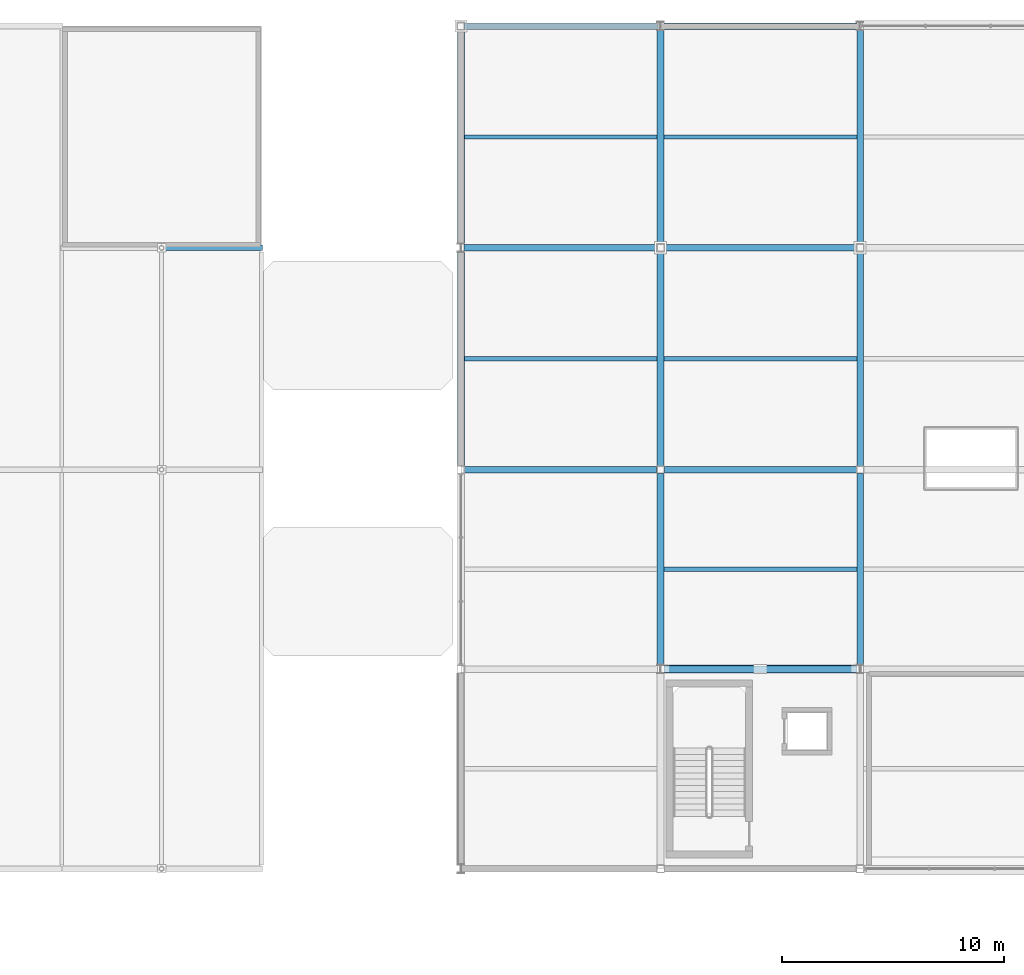
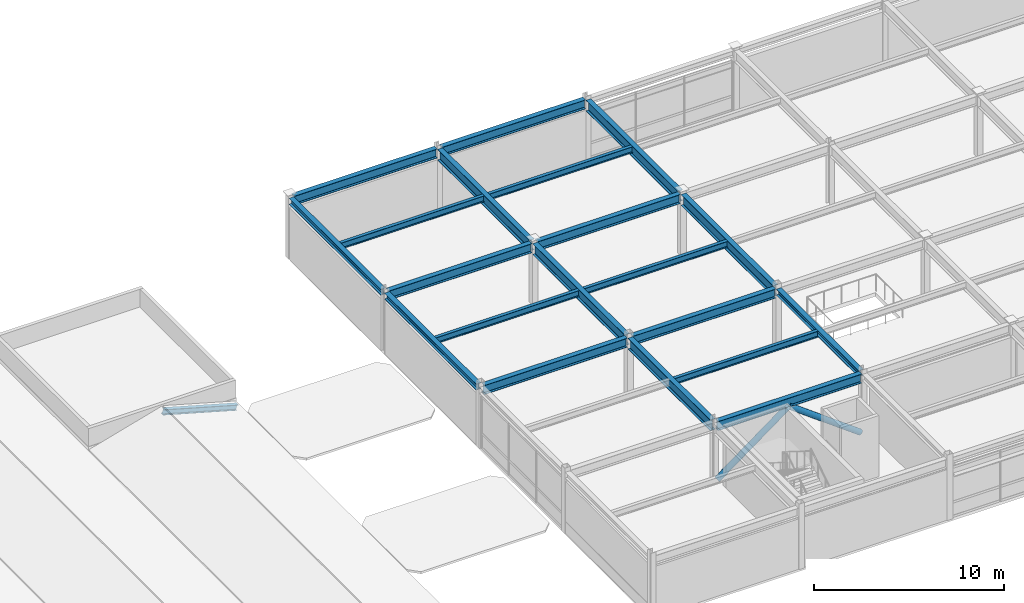
# One storey, part 21 of 40: 20 beams, 3 members.
"""IFC4 building model written with IfcOpenShell, lengths in metres."""

import ifcopenshell
import ifcopenshell.guid

model = None  # the IFC model being written
_history = None  # IfcOwnerHistory: only IFC2X3 demands one
_inside = {}  # id of a spatial element -> (the spatial element, [elements in it])
_under = {}  # id of a project, library or spatial element -> (it, [spatial elements below it])
_declared = {}  # id of a project -> (the project, [libraries it declares])
_typed = {}  # id of a type object -> (the type object, [elements of that type])
_made_of = {}  # id of a material, layer set ... -> (it, [elements and type objects made of it])


def new_model(schema):
    """Start an empty IFC model of exactly this schema.

    Asked for "IFC4X3", IfcOpenShell would pick the latest addendum, in which some entities
    have other attributes; the version numbers below select the first issue.
    IFC2X3 requires an IfcOwnerHistory on every rooted entity: one is made here for all.
    """
    global model, _history
    if schema == "IFC4X3":
        model = ifcopenshell.file(schema_version=(4, 3, 0, 0))
    else:
        model = ifcopenshell.file(schema=schema)
    _inside.clear()
    _under.clear()
    _declared.clear()
    _typed.clear()
    _made_of.clear()
    _history = None
    if model.schema == "IFC2X3":
        org = make("IfcOrganization", Name="unknown")
        user = make(
            "IfcPersonAndOrganization",
            ThePerson=make("IfcPerson", FamilyName="unknown"),
            TheOrganization=org,
        )
        app = make(
            "IfcApplication",
            ApplicationDeveloper=org,
            Version="unknown",
            ApplicationFullName="unknown",
            ApplicationIdentifier="unknown",
        )
        _history = make(
            "IfcOwnerHistory",
            OwningUser=user,
            OwningApplication=app,
            ChangeAction="ADDED",
            CreationDate=0,
        )
    return model


def make(cls, **values):
    """One entity of the class cls with the attributes given. An attribute that is None is left unset."""
    return model.create_entity(
        cls, **{name: value for name, value in values.items() if value is not None}
    )


def rooted(cls, **values):
    """An entity with a GlobalId (a new one), such as an element, a storey or a relation."""
    return make(cls, GlobalId=ifcopenshell.guid.new(), OwnerHistory=_history, **values)


def si_unit(unit_type, name, prefix=None):
    """IfcSIUnit, for example si_unit("LENGTHUNIT", "METRE", prefix="MILLI")."""
    return make("IfcSIUnit", UnitType=unit_type, Prefix=prefix, Name=name)


def assignment(units):
    """IfcUnitAssignment: the units of a project."""
    return None if units is None else make("IfcUnitAssignment", Units=units)


def point(xyz):
    """IfcCartesianPoint."""
    return None if xyz is None else make("IfcCartesianPoint", Coordinates=xyz)


def direction(xyz):
    """IfcDirection."""
    return None if xyz is None else make("IfcDirection", DirectionRatios=xyz)


def frame(location, z_axis=None, x_axis=None):
    """IfcAxis2Placement3D, a coordinate frame: its origin and axes. An axis left out is left unset."""
    return make(
        "IfcAxis2Placement3D",
        Location=point(location),
        Axis=direction(z_axis),
        RefDirection=direction(x_axis),
    )


def frame_2d(location, x_axis=None):
    """IfcAxis2Placement2D, a coordinate frame in the plane: its origin and x axis."""
    return make(
        "IfcAxis2Placement2D", Location=point(location), RefDirection=direction(x_axis)
    )


def origin():
    """The frame at (0, 0, 0) with its axes left unset."""
    return frame((0.0, 0.0, 0.0))


def origin_2d():
    """The frame at (0, 0) in the plane with its x axis left unset."""
    return frame_2d((0.0, 0.0))


def place(relative_to, where):
    """IfcLocalPlacement: puts the frame where relative to a parent placement (None: the world)."""
    return make(
        "IfcLocalPlacement", PlacementRelTo=relative_to, RelativePlacement=where
    )


def context(
    kind, dimensions, precision=None, world=None, true_north=None, identifier=None
):
    """IfcGeometricRepresentationContext, for example the 3D "Model" context."""
    return make(
        "IfcGeometricRepresentationContext",
        ContextIdentifier=identifier,
        ContextType=kind,
        CoordinateSpaceDimension=dimensions,
        Precision=precision,
        WorldCoordinateSystem=world,
        TrueNorth=true_north,
    )


def subcontext(parent, identifier, kind, view, scale=None):
    """IfcGeometricRepresentationSubContext, for example "Body" below "Model"."""
    return make(
        "IfcGeometricRepresentationSubContext",
        ContextIdentifier=identifier,
        ContextType=kind,
        ParentContext=parent,
        TargetScale=scale,
        TargetView=view,
    )


def project(units=None, contexts=None):
    """IfcProject with its units and contexts."""
    return rooted(
        "IfcProject",
        Name="project",
        RepresentationContexts=contexts,
        UnitsInContext=assignment(units),
    )


def spatial(cls, under=None, at=None, **own):
    """A site, building, storey or space (cls), placed at a placement, below another one or the project."""
    s = rooted(cls, ObjectPlacement=at, **own)
    if under is not None:
        _under.setdefault(under.id(), (under, []))[1].append(s)
    return s


def profile(cls, at=None, kind="AREA", **sizes):
    """A parametric profile (cls). Its sizes go by their IFC names, for example OverallWidth=200.0."""
    return make(cls, ProfileType=kind, Position=at, **sizes)


def hollow_circle(**sizes):
    """IfcCircleHollowProfileDef."""
    return profile("IfcCircleHollowProfileDef", **sizes)


def i_section(**sizes):
    """IfcIShapeProfileDef."""
    return profile("IfcIShapeProfileDef", **sizes)


def extrude(swept, where, along, depth):
    """IfcExtrudedAreaSolid: the profile swept, set in the frame where, extruded along a direction by depth."""
    return make(
        "IfcExtrudedAreaSolid",
        SweptArea=swept,
        Position=where,
        ExtrudedDirection=direction(along),
        Depth=depth,
    )


def shape(context_of_items, identifier, shape_type, items):
    """IfcShapeRepresentation: the items that make up one representation, for example the "Body"."""
    return make(
        "IfcShapeRepresentation",
        ContextOfItems=context_of_items,
        RepresentationIdentifier=identifier,
        RepresentationType=shape_type,
        Items=items,
    )


def material(Name=None, Category=None):
    """IfcMaterial."""
    return make("IfcMaterial", Name=Name, Category=Category)


def material_profile(
    of_material, cross_section, Name=None, Category=None, Priority=None
):
    """IfcMaterialProfile: a cross section and its material."""
    return make(
        "IfcMaterialProfile",
        Name=Name,
        Material=of_material,
        Profile=cross_section,
        Priority=Priority,
        Category=Category,
    )


def profile_set(profiles, Name=None, composite=None):
    """IfcMaterialProfileSet."""
    return make(
        "IfcMaterialProfileSet",
        Name=Name,
        MaterialProfiles=profiles,
        CompositeProfile=composite,
    )


def made_of(thing, what):
    """Note that an element or type object is made of a material, layer set ...; save() writes the relation."""
    if what is not None:
        _made_of.setdefault(what.id(), (what, []))[1].append(thing)
    return thing


def type_object(cls, material=None, **own):
    """A type object (cls), such as IfcWallType, which elements share."""
    return made_of(rooted(cls, **own), material)


def element(
    cls,
    number,
    at=None,
    inside=None,
    cuts=None,
    type_object=None,
    material=None,
    context=None,
    identifier="Body",
    shape_type=None,
    held_by="IfcProductDefinitionShape",
    body=None,
    shapes=None,
    **own,
):
    """One element of the class cls, such as IfcWall. Its Tag is "e" and its number.

    at: its placement. inside: the storey or other place that contains it. cuts: it is an
    opening in that element (IfcRelVoidsElement). A single representation is given by context,
    identifier, shape_type and body (its items); several are given by shapes. held_by: the class
    of the entity that holds the representations. save() writes the other relations.
    """
    e = rooted(cls, Tag="e%d" % number, ObjectPlacement=at, **own)
    if body is not None:
        shapes = [shape(context, identifier, shape_type, body)]
    if shapes is not None:
        e.Representation = make(held_by, Representations=shapes)
    if inside is not None:
        _inside.setdefault(inside.id(), (inside, []))[1].append(e)
    if cuts is not None:
        rooted(
            "IfcRelVoidsElement", RelatingBuildingElement=cuts, RelatedOpeningElement=e
        )
    if type_object is not None:
        _typed.setdefault(type_object.id(), (type_object, []))[1].append(e)
    return made_of(e, material)


def aggregate(whole, parts):
    """IfcRelAggregates: a whole, such as a stair, and the parts it consists of."""
    return rooted("IfcRelAggregates", RelatingObject=whole, RelatedObjects=parts)


def save(model, path):
    """Write the relations noted so far, then the file.

    IfcRelAggregates (storeys below a building ...), IfcRelContainedInSpatialStructure (elements
    in a storey), IfcRelDefinesByType, IfcRelAssociatesMaterial and IfcRelDeclares: one each for
    every whole, place, type object, material and project.
    """
    for whole, parts in _under.values():
        aggregate(whole, parts)
    for where, things in _inside.values():
        rooted(
            "IfcRelContainedInSpatialStructure",
            RelatedElements=things,
            RelatingStructure=where,
        )
    for kind, things in _typed.values():
        rooted("IfcRelDefinesByType", RelatedObjects=things, RelatingType=kind)
    for what, things in _made_of.values():
        rooted("IfcRelAssociatesMaterial", RelatedObjects=things, RelatingMaterial=what)
    for by, libraries in _declared.values():
        rooted("IfcRelDeclares", RelatingContext=by, RelatedDefinitions=libraries)
    model.write(path)


model = new_model("IFC4")

# Units and contexts
model_context = context("Model", 3, precision=1e-05, world=origin(), true_north=direction((0.0, 1.0)))
body_context = subcontext(model_context, "Body", "Model", "MODEL_VIEW")
ifc_project = project(units=[si_unit("LENGTHUNIT", "METRE"), si_unit("AREAUNIT", "SQUARE_METRE"), si_unit("VOLUMEUNIT", "CUBIC_METRE"), si_unit("PLANEANGLEUNIT", "RADIAN"), si_unit("MASSUNIT", "GRAM", prefix="KILO")], contexts=[model_context])

# Site, building, storey
site_placement = place(None, origin())
site = spatial("IfcSite", under=ifc_project, at=site_placement, CompositionType="ELEMENT")
building_placement = place(site_placement, origin())
building = spatial("IfcBuilding", under=site, at=building_placement, Name="Suzunagisa Mobility Hub", CompositionType="ELEMENT")
storey_placement = place(building_placement, frame((0.0, 0.0, 21.89990234375)))
storey = spatial("IfcBuildingStorey", under=building, at=storey_placement, Name="L05", CompositionType="ELEMENT", Elevation=21.89990234375)

# Members
ifc_material_1 = material(Name="Steel SN490B", Category="steel")
ifc_material_profile_1 = material_profile(ifc_material_1, hollow_circle(Radius=0.177734375, WallThickness=0.0126953125, at=origin_2d()), Name="CHS-355.6x12.7")
ifc_profile_set_1 = profile_set([ifc_material_profile_1], Name="Steel SN490B")
member_type_1 = type_object("IfcMemberType", Name="Roof Truss and Brace Member MB-03 CHS-355.6x12.7", PredefinedType="BRACE", material=ifc_profile_set_1)
for number, where, z_axis, x_axis, name in (
    (1, (54.169921875, 89.0, 0.1201171875), (0.804397588091, 0.0, 0.594091340009), (0.0, 1.0, 0.0), "L05 Concentric Lateral Brace BR-37"),
    (2, (62.830078125, 89.0, 0.1201171875), (-0.804397588091, 0.0, 0.594091340009), (0.0, -1.0, 0.0), "L05 Concentric Lateral Brace BR-38"),
):
    element("IfcMember", number, at=place(storey_placement, frame(where, z_axis=z_axis, x_axis=x_axis)), inside=storey, type_object=member_type_1, Name=name, PredefinedType="BRACE", context=body_context, shape_type="SweptSolid", body=[
        extrude(hollow_circle(Radius=0.177734375, WallThickness=0.0126953125, at=origin_2d()), origin(), (0.0, 0.0, 1.0), 5.383056640625),
    ])
ifc_material_2 = material(Name="Steel SN400B", Category="steel")
ifc_material_profile_2 = material_profile(ifc_material_2, i_section(OverallWidth=0.25, OverallDepth=0.340087890625, WebThickness=0.009033203125, FlangeThickness=0.013916015625, FilletRadius=0.010009765625, at=origin_2d()), Name="H-340x250x9x14")
ifc_profile_set_2 = profile_set([ifc_material_profile_2], Name="Steel SN400B")
member_type_2 = type_object("IfcMemberType", Name="Roof Truss and Brace Member MB-11 H-340x250x9x14", PredefinedType="RAFTER", material=ifc_profile_set_2)
member_placement = place(storey_placement, frame((36.0, 108.0, -0.3798828125), z_axis=(-0.962514716328, 0.0, 0.271229461622), x_axis=(0.0, -1.0, 0.0)))
element("IfcMember", 3, at=member_placement, inside=storey, type_object=member_type_2, Name="L05 Ramp Canopy Rafter 250", PredefinedType="RAFTER", context=body_context, shape_type="SweptSolid", body=[
    extrude(i_section(OverallWidth=0.25, OverallDepth=0.340087890625, WebThickness=0.009033203125, FlangeThickness=0.013916015625, FilletRadius=0.010009765625, at=origin_2d()), origin(), (0.0, 0.0, 1.0), 4.67529296875),
])

# Beams
ifc_material_profile_3 = material_profile(ifc_material_1, i_section(OverallWidth=0.300048828125, OverallDepth=0.699951171875, WebThickness=0.012939453125, FlangeThickness=0.02392578125, FilletRadius=0.01806640625, at=origin_2d()), Name="H-700x300x13x24")
ifc_profile_set_3 = profile_set([ifc_material_profile_3], Name="Steel SN490B")
beam_type_1 = type_object("IfcBeamType", Name="Steel Beam BM-11 H-700x300x13x24", PredefinedType="BEAM", material=ifc_profile_set_3)
beam_1_placement = place(storey_placement, frame((54.0, 89.19091796875, 3.570068359375), z_axis=(0.0, 1.0, 0.0), x_axis=(-1.0, 0.0, 0.0)))
element("IfcBeam", 4, at=beam_1_placement, inside=storey, type_object=beam_type_1, Name="L05 Primary Girder GY-1243", PredefinedType="BEAM", context=body_context, shape_type="SweptSolid", body=[
    extrude(i_section(OverallWidth=0.300048828125, OverallDepth=0.699951171875, WebThickness=0.012939453125, FlangeThickness=0.02392578125, FilletRadius=0.01806640625, at=origin_2d()), origin(), (0.0, 0.0, 1.0), 8.63818359375),
])
beam_2_placement = place(storey_placement, frame((63.0, 98.1708984375, 3.570068359375), z_axis=(0.0, 1.0, 0.0), x_axis=(-1.0, 0.0, 0.0)))
element("IfcBeam", 5, at=beam_2_placement, inside=storey, type_object=beam_type_1, Name="L05 Primary Girder GY-1269", PredefinedType="BEAM", context=body_context, shape_type="SweptSolid", body=[
    extrude(i_section(OverallWidth=0.300048828125, OverallDepth=0.699951171875, WebThickness=0.012939453125, FlangeThickness=0.02392578125, FilletRadius=0.01806640625, at=origin_2d()), origin(), (0.0, 0.0, 1.0), 9.658203125),
])
beam_3_placement = place(storey_placement, frame((63.0, 108.1708984375, 3.570068359375), z_axis=(0.0, 1.0, 0.0), x_axis=(-1.0, 0.0, 0.0)))
element("IfcBeam", 6, at=beam_3_placement, inside=storey, type_object=beam_type_1, Name="L05 Primary Girder GY-1270", PredefinedType="BEAM", context=body_context, shape_type="SweptSolid", body=[
    extrude(i_section(OverallWidth=0.300048828125, OverallDepth=0.699951171875, WebThickness=0.012939453125, FlangeThickness=0.02392578125, FilletRadius=0.01806640625, at=origin_2d()), origin(), (0.0, 0.0, 1.0), 9.63818359375),
])
beam_4_placement = place(storey_placement, frame((54.0, 98.1708984375, 3.570068359375), z_axis=(0.0, 1.0, 0.0), x_axis=(-1.0, 0.0, 0.0)))
element("IfcBeam", 7, at=beam_4_placement, inside=storey, type_object=beam_type_1, Name="L05 Primary Girder GY-1308", PredefinedType="BEAM", context=body_context, shape_type="SweptSolid", body=[
    extrude(i_section(OverallWidth=0.300048828125, OverallDepth=0.699951171875, WebThickness=0.012939453125, FlangeThickness=0.02392578125, FilletRadius=0.01806640625, at=origin_2d()), origin(), (0.0, 0.0, 1.0), 9.658203125),
])
beam_5_placement = place(storey_placement, frame((54.0, 108.1708984375, 3.570068359375), z_axis=(0.0, 1.0, 0.0), x_axis=(-1.0, 0.0, 0.0)))
element("IfcBeam", 8, at=beam_5_placement, inside=storey, type_object=beam_type_1, Name="L05 Primary Girder GY-1309", PredefinedType="BEAM", context=body_context, shape_type="SweptSolid", body=[
    extrude(i_section(OverallWidth=0.300048828125, OverallDepth=0.699951171875, WebThickness=0.012939453125, FlangeThickness=0.02392578125, FilletRadius=0.01806640625, at=origin_2d()), origin(), (0.0, 0.0, 1.0), 9.63818359375),
])
ifc_material_profile_4 = material_profile(ifc_material_1, i_section(OverallWidth=0.300048828125, OverallDepth=0.389892578125, WebThickness=0.010009765625, FlangeThickness=0.01611328125, FilletRadius=0.012939453125, at=origin_2d()), Name="H-390x300x10x16")
ifc_profile_set_4 = profile_set([ifc_material_profile_4], Name="Steel SN490B")
beam_type_2 = type_object("IfcBeamType", Name="Steel Beam BM-13 H-390x300x10x16", PredefinedType="SPANDREL", material=ifc_profile_set_4)
beam_6_placement = place(storey_placement, frame((63.0, 89.19091796875, 3.72509765625), z_axis=(0.0, 1.0, 0.0), x_axis=(-1.0, 0.0, 0.0)))
element("IfcBeam", 9, at=beam_6_placement, inside=storey, type_object=beam_type_2, Name="L05 Primary Girder GY-1245", PredefinedType="SPANDREL", context=body_context, shape_type="SweptSolid", body=[
    extrude(i_section(OverallWidth=0.300048828125, OverallDepth=0.389892578125, WebThickness=0.010009765625, FlangeThickness=0.01611328125, FilletRadius=0.012939453125, at=origin_2d()), origin(), (0.0, 0.0, 1.0), 8.63818359375),
])
for number, where, z_axis, x_axis, name in (
    (10, (45.0, 98.1708984375, 3.72509765625), (0.0, 1.0, 0.0), (-1.0, 0.0, 0.0), "L05 Primary Girder GY-1306"),
    (11, (45.0, 108.19091796875, 3.72509765625), (0.0, 1.0, 0.0), (-1.0, 0.0, 0.0), "L05 Primary Girder GY-1307"),
):
    element("IfcBeam", number, at=place(storey_placement, frame(where, z_axis=z_axis, x_axis=x_axis)), inside=storey, type_object=beam_type_2, Name=name, PredefinedType="SPANDREL", context=body_context, shape_type="SweptSolid", body=[
        extrude(i_section(OverallWidth=0.300048828125, OverallDepth=0.389892578125, WebThickness=0.010009765625, FlangeThickness=0.01611328125, FilletRadius=0.012939453125, at=origin_2d()), origin(), (0.0, 0.0, 1.0), 9.63818359375),
    ])
ifc_material_profile_5 = material_profile(ifc_material_2, i_section(OverallWidth=0.199951171875, OverallDepth=0.39990234375, WebThickness=0.008056640625, FlangeThickness=0.012939453125, FilletRadius=0.012939453125, at=origin_2d()), Name="H-400x200x8x13")
ifc_profile_set_5 = profile_set([ifc_material_profile_5], Name="Steel SN400B")
beam_type_3 = type_object("IfcBeamType", Name="Steel Beam BM-14 H-400x200x8x13", PredefinedType="JOIST", material=ifc_profile_set_5)
for number, where, z_axis, x_axis, name in (
    (12, (54.14990234375, 93.5, 3.72021484375), (1.0, 0.0, 0.0), (0.0, 1.0, 0.0), "L05 Composite Floor Joist J-1248"),
    (13, (45.14990234375, 103.0, 3.72021484375), (1.0, 0.0, 0.0), (0.0, 1.0, 0.0), "L05 Composite Floor Joist J-1310"),
    (14, (45.14990234375, 113.0, 3.72021484375), (1.0, 0.0, 0.0), (0.0, 1.0, 0.0), "L05 Composite Floor Joist J-1311"),
    (15, (54.14990234375, 103.0, 3.72021484375), (1.0, 0.0, 0.0), (0.0, 1.0, 0.0), "L05 Composite Floor Joist J-1312"),
    (16, (54.14990234375, 113.0, 3.72021484375), (1.0, 0.0, 0.0), (0.0, 1.0, 0.0), "L05 Composite Floor Joist J-1313"),
):
    element("IfcBeam", number, at=place(storey_placement, frame(where, z_axis=z_axis, x_axis=x_axis)), inside=storey, type_object=beam_type_3, Name=name, PredefinedType="JOIST", context=body_context, shape_type="SweptSolid", body=[
        extrude(i_section(OverallWidth=0.199951171875, OverallDepth=0.39990234375, WebThickness=0.008056640625, FlangeThickness=0.012939453125, FilletRadius=0.012939453125, at=origin_2d()), origin(), (0.0, 0.0, 1.0), 8.7001953125),
    ])
ifc_material_profile_6 = material_profile(ifc_material_1, i_section(OverallWidth=0.300048828125, OverallDepth=0.587890625, WebThickness=0.011962890625, FlangeThickness=0.02001953125, FilletRadius=0.012939453125, at=origin_2d()), Name="H-588x300x12x20")
ifc_profile_set_6 = profile_set([ifc_material_profile_6], Name="Steel SN490B")
beam_type_4 = type_object("IfcBeamType", Name="Steel Beam BM-16 H-588x300x12x20", PredefinedType="BEAM", material=ifc_profile_set_6)
beam_7_placement = place(storey_placement, frame((54.14599609375, 89.0, 3.6259765625), z_axis=(1.0, 0.0, 0.0), x_axis=(0.0, 1.0, 0.0)))
element("IfcBeam", 17, at=beam_7_placement, inside=storey, type_object=beam_type_4, Name="L05 Primary Girder GX-1237", PredefinedType="BEAM", context=body_context, shape_type="SweptSolid", body=[
    extrude(i_section(OverallWidth=0.300048828125, OverallDepth=0.587890625, WebThickness=0.011962890625, FlangeThickness=0.02001953125, FilletRadius=0.012939453125, at=origin_2d()), origin(), (0.0, 0.0, 1.0), 8.7080078125),
])
for number, where, z_axis, x_axis, name in (
    (18, (45.1708984375, 98.0, 3.6259765625), (1.0, 0.0, 0.0), (0.0, 1.0, 0.0), "L05 Primary Girder GX-1238"),
    (19, (54.1708984375, 98.0, 3.6259765625), (1.0, 0.0, 0.0), (0.0, 1.0, 0.0), "L05 Primary Girder GX-1239"),
):
    element("IfcBeam", number, at=place(storey_placement, frame(where, z_axis=z_axis, x_axis=x_axis)), inside=storey, type_object=beam_type_4, Name=name, PredefinedType="BEAM", context=body_context, shape_type="SweptSolid", body=[
        extrude(i_section(OverallWidth=0.300048828125, OverallDepth=0.587890625, WebThickness=0.011962890625, FlangeThickness=0.02001953125, FilletRadius=0.012939453125, at=origin_2d()), origin(), (0.0, 0.0, 1.0), 8.658203125),
    ])
beam_8_placement = place(storey_placement, frame((45.14599609375, 108.0, 3.6259765625), z_axis=(1.0, 0.0, 0.0), x_axis=(0.0, 1.0, 0.0)))
element("IfcBeam", 20, at=beam_8_placement, inside=storey, type_object=beam_type_4, Name="L05 Primary Girder GX-1302", PredefinedType="BEAM", context=body_context, shape_type="SweptSolid", body=[
    extrude(i_section(OverallWidth=0.300048828125, OverallDepth=0.587890625, WebThickness=0.011962890625, FlangeThickness=0.02001953125, FilletRadius=0.012939453125, at=origin_2d()), origin(), (0.0, 0.0, 1.0), 8.68310546875),
])
beam_9_placement = place(storey_placement, frame((54.1708984375, 108.0, 3.6259765625), z_axis=(1.0, 0.0, 0.0), x_axis=(0.0, 1.0, 0.0)))
element("IfcBeam", 21, at=beam_9_placement, inside=storey, type_object=beam_type_4, Name="L05 Primary Girder GX-1303", PredefinedType="BEAM", context=body_context, shape_type="SweptSolid", body=[
    extrude(i_section(OverallWidth=0.300048828125, OverallDepth=0.587890625, WebThickness=0.011962890625, FlangeThickness=0.02001953125, FilletRadius=0.012939453125, at=origin_2d()), origin(), (0.0, 0.0, 1.0), 8.658203125),
])
beam_10_placement = place(storey_placement, frame((45.1708984375, 118.0, 3.6259765625), z_axis=(1.0, 0.0, 0.0), x_axis=(0.0, 1.0, 0.0)))
element("IfcBeam", 22, at=beam_10_placement, inside=storey, type_object=beam_type_4, Name="L05 Primary Girder GX-1304", PredefinedType="BEAM", context=body_context, shape_type="SweptSolid", body=[
    extrude(i_section(OverallWidth=0.300048828125, OverallDepth=0.587890625, WebThickness=0.011962890625, FlangeThickness=0.02001953125, FilletRadius=0.012939453125, at=origin_2d()), origin(), (0.0, 0.0, 1.0), 8.68310546875),
])
beam_11_placement = place(storey_placement, frame((54.14599609375, 118.0, 3.6259765625), z_axis=(1.0, 0.0, 0.0), x_axis=(0.0, 1.0, 0.0)))
element("IfcBeam", 23, at=beam_11_placement, inside=storey, type_object=beam_type_4, Name="L05 Primary Girder GX-1305", PredefinedType="BEAM", context=body_context, shape_type="SweptSolid", body=[
    extrude(i_section(OverallWidth=0.300048828125, OverallDepth=0.587890625, WebThickness=0.011962890625, FlangeThickness=0.02001953125, FilletRadius=0.012939453125, at=origin_2d()), origin(), (0.0, 0.0, 1.0), 8.7080078125),
])

save(model, "model.ifc")
